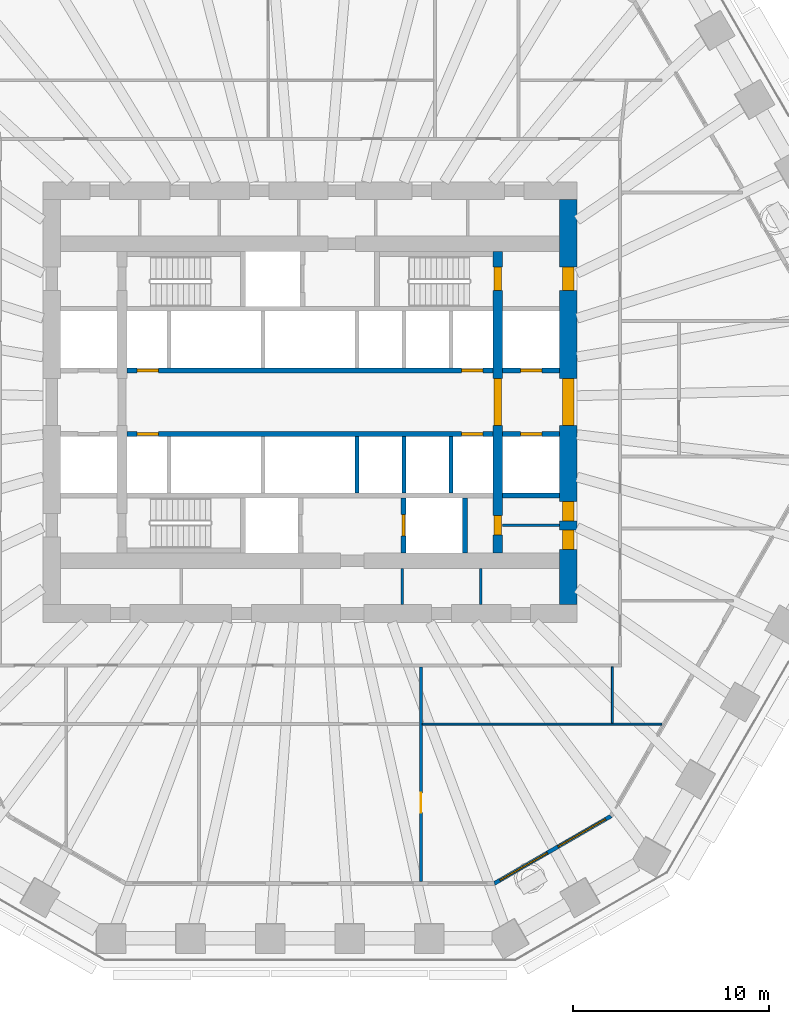
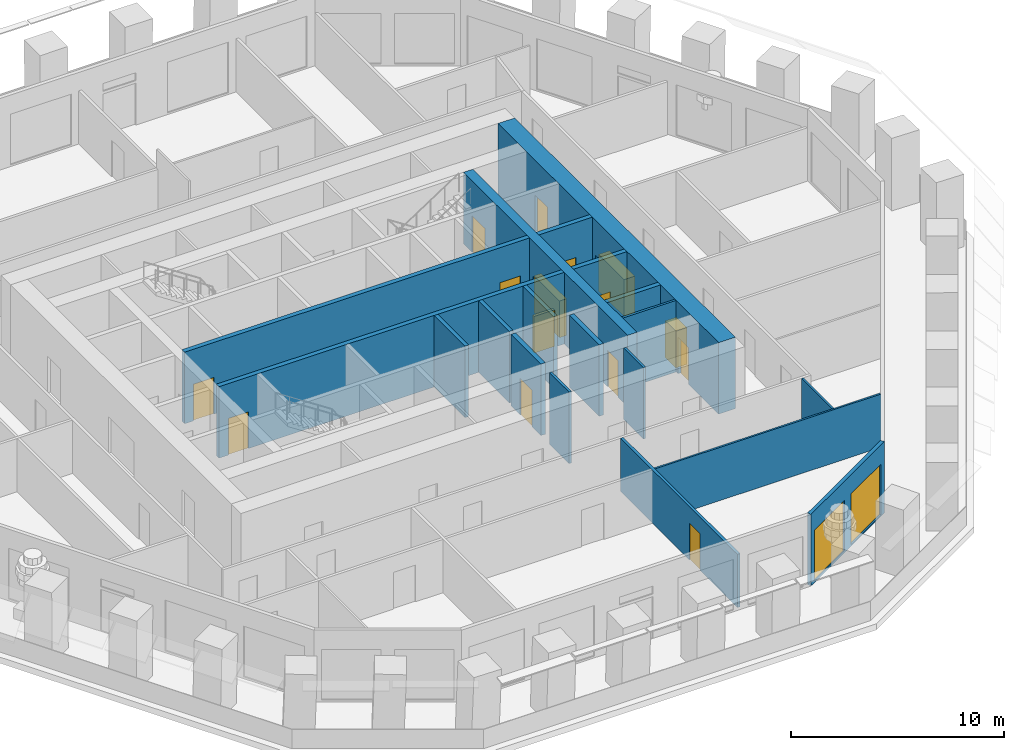
# One storey, part 5 of 13: 19 walls, 15 doors, 2 windows, 17 openings.
"""IFC4 building model written with IfcOpenShell, lengths in metres."""

from ifc_helpers import new_model, si_unit, direction, frame, frame_2d, origin, place, context, subcontext, project, spatial, polyline, rectangle, outline, extrude, material, layer, layer_set, type_object, element, fill, save


model = new_model("IFC4")

# Units and contexts
model_context = context("Model", 3, precision=1e-05, world=origin(), true_north=direction((0.0, 1.0)))
body_context = subcontext(model_context, "Body", "Model", "MODEL_VIEW")
ifc_project = project(units=[si_unit("LENGTHUNIT", "METRE"), si_unit("AREAUNIT", "SQUARE_METRE"), si_unit("VOLUMEUNIT", "CUBIC_METRE"), si_unit("PLANEANGLEUNIT", "RADIAN"), si_unit("MASSUNIT", "GRAM", prefix="KILO")], contexts=[model_context])

# Site, building, storey
site_placement = place(None, origin())
site = spatial("IfcSite", under=ifc_project, at=site_placement, CompositionType="ELEMENT")
building_placement = place(site_placement, origin())
building = spatial("IfcBuilding", under=site, at=building_placement, Name="Frailejon Research Tower", CompositionType="ELEMENT")
storey_placement = place(building_placement, frame((0.0, 0.0, 36.60009765625)))
storey = spatial("IfcBuildingStorey", under=building, at=storey_placement, Name="L08", CompositionType="ELEMENT", Elevation=36.60009765625)

# Walls
ifc_material_1 = material(Name="Plasterboard on steel studs", Category="steel")
ifc_layer_1 = layer(ifc_material_1, 0.125)
ifc_layer_set_1 = layer_set([ifc_layer_1], Name="Core partition 125")
wall_type_1 = type_object("IfcWallType", Name="Core partition 125", PredefinedType="PARTITIONING", material=ifc_layer_set_1)
wall_1_placement = place(storey_placement, frame((9.85009765625, -6.300048828125, 0.0), z_axis=(0.0, 0.0, 1.0), x_axis=(1.0, 0.0, 0.0)))
element("IfcWall", 1, at=wall_1_placement, inside=storey, type_object=wall_type_1, Name="Core partition", PredefinedType="PARTITIONING", context=body_context, shape_type="SweptSolid", body=[
    extrude(rectangle(XDim=2.89990234375, YDim=0.125, at=frame_2d((1.449951171875, 0.0))), origin(), (0.0, 0.0, 1.0), 4.099853515625),
])
for number, where, z_axis, x_axis, name in (
    (2, (4.71240234375, -10.35009765625, 0.0), (0.0, 0.0, 1.0), (0.0, 1.0, 0.0), "Core partition"),
    (3, (8.731201171875, -10.35009765625, 0.0), (0.0, 0.0, 1.0), (0.0, 1.0, 0.0), "Core partition"),
):
    element("IfcWall", number, at=place(storey_placement, frame(where, z_axis=z_axis, x_axis=x_axis)), inside=storey, type_object=wall_type_1, Name=name, PredefinedType="PARTITIONING", context=body_context, shape_type="SweptSolid", body=[
        extrude(rectangle(XDim=1.85009765625, YDim=0.125, at=frame_2d((0.925048828125, 0.0))), origin(), (0.0, 0.0, 1.0), 4.099853515625),
    ])

# Wall, openings, doors
ifc_material_2 = material(Name="Concrete C70/85", Category="concrete")
ifc_layer_2 = layer(ifc_material_2, 0.5)
ifc_layer_set_2 = layer_set([ifc_layer_2], Name="Core shear wall 500 C70/85")
wall_type_2 = type_object("IfcWallType", Name="Core shear wall 500 C70/85", PredefinedType="SHEAR", material=ifc_layer_set_2)
wall_2_placement = place(storey_placement, frame((9.60009765625, -7.699951171875, 0.0), z_axis=(0.0, 0.0, 1.0), x_axis=(0.0, 1.0, 0.0)))
wall_2 = element("IfcWall", 4, at=wall_2_placement, inside=storey, type_object=wall_type_2, Name="Core shear wall", PredefinedType="SHEAR", context=body_context, shape_type="SweptSolid", body=[
    extrude(rectangle(XDim=15.39990234375, YDim=0.5, at=frame_2d((7.699951171875, 0.0))), origin(), (0.0, 0.0, 1.0), 4.099853515625),
])
opening_1_placement = place(wall_2_placement, frame((6.5, 0.0, 0.0)))
opening_1 = element("IfcOpeningElement", 5, at=opening_1_placement, cuts=wall_2, Name="Opening D2", PredefinedType="OPENING", context=body_context, shape_type="SweptSolid", body=[
    extrude(rectangle(XDim=2.39990234375, YDim=2.10009765625, at=frame_2d((1.199951171875, 1.050048828125))), frame((0.0, 0.260009765625, 0.0), z_axis=(0.0, -1.0, 0.0), x_axis=(1.0, 0.0, 0.0)), (0.0, 0.0, 1.0), 0.52001953125),
])
opening_2_placement = place(wall_2_placement, frame((13.39990234375, 0.0, 0.0)))
opening_2 = element("IfcOpeningElement", 6, at=opening_2_placement, cuts=wall_2, Name="Opening D1", PredefinedType="OPENING", context=body_context, shape_type="SweptSolid", body=[
    extrude(rectangle(XDim=1.199951171875, YDim=2.10009765625, at=frame_2d((0.60009765625, 1.050048828125))), frame((0.0, 0.260009765625, 0.0), z_axis=(0.0, -1.0, 0.0), x_axis=(1.0, 0.0, 0.0)), (0.0, 0.0, 1.0), 0.52001953125),
])
opening_3_placement = place(wall_2_placement, frame((0.89990234375, 0.0, 0.0)))
opening_3 = element("IfcOpeningElement", 7, at=opening_3_placement, cuts=wall_2, Name="Opening D4", PredefinedType="OPENING", context=body_context, shape_type="SweptSolid", body=[
    extrude(rectangle(XDim=1.0, YDim=2.10009765625, at=frame_2d((0.5, 1.050048828125))), frame((0.0, 0.260009765625, 0.0), z_axis=(0.0, -1.0, 0.0), x_axis=(1.0, 0.0, 0.0)), (0.0, 0.0, 1.0), 0.52001953125),
])
ifc_material_3 = material(Name="Steel", Category="steel")
door_type_1 = type_object("IfcDoorType", Name="Lobby double door", OperationType="DOUBLE_DOOR_SINGLE_SWING", PredefinedType="DOOR", material=ifc_material_3)
door_1_placement = place(opening_1_placement, origin())
door_1 = element("IfcDoor", 8, at=door_1_placement, inside=storey, type_object=door_type_1, Name="Lobby door", OperationType="DOUBLE_DOOR_SINGLE_SWING", OverallHeight=2.10009765625, OverallWidth=2.39990234375, PredefinedType="DOOR", context=body_context, shape_type="SweptSolid", body=[
    extrude(rectangle(XDim=2.39990234375, YDim=2.10009765625, at=frame_2d((1.199951171875, 1.050048828125))), frame((0.0, 0.199951171875, 0.0), z_axis=(0.0, -1.0, 0.0), x_axis=(1.0, 0.0, 0.0)), (0.0, 0.0, 1.0), 0.39990234375),
])
fill(opening_1, door_1)
ifc_material_4 = material(Name="Steel", Category="steel")
door_type_2 = type_object("IfcDoorType", Name="Service door", OperationType="SINGLE_SWING_LEFT", PredefinedType="DOOR", material=ifc_material_4)
door_2_placement = place(opening_3_placement, origin())
door_2 = element("IfcDoor", 9, at=door_2_placement, inside=storey, type_object=door_type_2, Name="Riser door", OperationType="SINGLE_SWING_RIGHT", OverallHeight=2.10009765625, OverallWidth=1.0, PredefinedType="DOOR", context=body_context, shape_type="SweptSolid", body=[
    extrude(rectangle(XDim=1.0, YDim=2.10009765625, at=frame_2d((0.5, 1.050048828125))), frame((0.0, 0.199951171875, 0.0), z_axis=(0.0, -1.0, 0.0), x_axis=(1.0, 0.0, 0.0)), (0.0, 0.0, 1.0), 0.39990234375),
])
fill(opening_3, door_2)
ifc_material_5 = material(Name="Steel", Category="steel")
door_type_3 = type_object("IfcDoorType", Name="Stair door", OperationType="SINGLE_SWING_LEFT", PredefinedType="DOOR", material=ifc_material_5)
door_3_placement = place(opening_2_placement, origin())
door_3 = element("IfcDoor", 10, at=door_3_placement, inside=storey, type_object=door_type_3, Name="Stair door ST3", OperationType="SINGLE_SWING_RIGHT", OverallHeight=2.10009765625, OverallWidth=1.199951171875, PredefinedType="DOOR", context=body_context, shape_type="SweptSolid", body=[
    extrude(rectangle(XDim=1.199951171875, YDim=2.10009765625, at=frame_2d((0.60009765625, 1.050048828125))), frame((0.0, 0.199951171875, 0.0), z_axis=(0.0, -1.0, 0.0), x_axis=(1.0, 0.0, 0.0)), (0.0, 0.0, 1.0), 0.39990234375),
])
fill(opening_2, door_3)

ifc_material_6 = material(Name="Concrete C70/85", Category="concrete")
ifc_layer_3 = layer(ifc_material_6, 0.89990234375)
ifc_layer_set_3 = layer_set([ifc_layer_3], Name="Core shear wall 900 C70/85")
wall_type_3 = type_object("IfcWallType", Name="Core shear wall 900 C70/85", PredefinedType="SHEAR", material=ifc_layer_set_3)
wall_3_placement = place(storey_placement, frame((13.199951171875, -10.35009765625, 0.0), z_axis=(0.0, 0.0, 1.0), x_axis=(0.0, 1.0, 0.0)))
wall_3 = element("IfcWall", 11, at=wall_3_placement, inside=storey, type_object=wall_type_3, Name="Core shear wall", PredefinedType="SHEAR", context=body_context, shape_type="SweptSolid", body=[
    extrude(rectangle(XDim=20.7001953125, YDim=0.89990234375, at=frame_2d((10.35009765625, 0.0))), origin(), (0.0, 0.0, 1.0), 4.099853515625),
])
opening_4_placement = place(wall_3_placement, frame((9.14990234375, 0.0, 0.0)))
opening_4 = element("IfcOpeningElement", 12, at=opening_4_placement, cuts=wall_3, Name="Opening D2", PredefinedType="OPENING", context=body_context, shape_type="SweptSolid", body=[
    extrude(rectangle(XDim=2.39990234375, YDim=2.10009765625, at=frame_2d((1.199951171875, 1.050048828125))), frame((0.0, 0.4599609375, 0.0), z_axis=(0.0, -1.0, 0.0), x_axis=(1.0, 0.0, 0.0)), (0.0, 0.0, 1.0), 0.919921875),
])
opening_5_placement = place(wall_3_placement, frame((16.050048828125, 0.0, 0.0)))
opening_5 = element("IfcOpeningElement", 13, at=opening_5_placement, cuts=wall_3, Name="Opening D7", PredefinedType="OPENING", context=body_context, shape_type="SweptSolid", body=[
    extrude(rectangle(XDim=1.199951171875, YDim=2.10009765625, at=frame_2d((0.60009765625, 1.050048828125))), frame((0.0, 0.4599609375, 0.0), z_axis=(0.0, -1.0, 0.0), x_axis=(1.0, 0.0, 0.0)), (0.0, 0.0, 1.0), 0.919921875),
])
opening_6_placement = place(wall_3_placement, frame((2.81884765625, 0.0, 0.0)))
opening_6 = element("IfcOpeningElement", 14, at=opening_6_placement, cuts=wall_3, Name="Opening D4", PredefinedType="OPENING", context=body_context, shape_type="SweptSolid", body=[
    extrude(rectangle(XDim=1.0, YDim=2.10009765625, at=frame_2d((0.5, 1.050048828125))), frame((0.0, 0.4599609375, 0.0), z_axis=(0.0, -1.0, 0.0), x_axis=(1.0, 0.0, 0.0)), (0.0, 0.0, 1.0), 0.919921875),
])
opening_7_placement = place(wall_3_placement, frame((4.28125, 0.0, 0.0)))
opening_7 = element("IfcOpeningElement", 15, at=opening_7_placement, cuts=wall_3, Name="Opening D4", PredefinedType="OPENING", context=body_context, shape_type="SweptSolid", body=[
    extrude(rectangle(XDim=1.0, YDim=2.10009765625, at=frame_2d((0.5, 1.050048828125))), frame((0.0, 0.4599609375, 0.0), z_axis=(0.0, -1.0, 0.0), x_axis=(1.0, 0.0, 0.0)), (0.0, 0.0, 1.0), 0.919921875),
])
door_4_placement = place(opening_4_placement, origin())
door_4 = element("IfcDoor", 16, at=door_4_placement, inside=storey, type_object=door_type_1, Name="Lobby door", OperationType="DOUBLE_DOOR_SINGLE_SWING", OverallHeight=2.10009765625, OverallWidth=2.39990234375, PredefinedType="DOOR", context=body_context, shape_type="SweptSolid", body=[
    extrude(rectangle(XDim=2.39990234375, YDim=2.10009765625, at=frame_2d((1.199951171875, 1.050048828125))), frame((0.0, 0.300048828125, 0.0), z_axis=(0.0, -1.0, 0.0), x_axis=(1.0, 0.0, 0.0)), (0.0, 0.0, 1.0), 0.60009765625),
])
fill(opening_4, door_4)
door_5_placement = place(opening_6_placement, origin())
door_5 = element("IfcDoor", 17, at=door_5_placement, inside=storey, type_object=door_type_2, Name="Store door", OperationType="SINGLE_SWING_LEFT", OverallHeight=2.10009765625, OverallWidth=1.0, PredefinedType="DOOR", context=body_context, shape_type="SweptSolid", body=[
    extrude(rectangle(XDim=1.0, YDim=2.10009765625, at=frame_2d((0.5, 1.050048828125))), frame((0.0, 0.300048828125, 0.0), z_axis=(0.0, -1.0, 0.0), x_axis=(1.0, 0.0, 0.0)), (0.0, 0.0, 1.0), 0.60009765625),
])
fill(opening_6, door_5)
door_6_placement = place(opening_7_placement, origin())
door_6 = element("IfcDoor", 18, at=door_6_placement, inside=storey, type_object=door_type_2, Name="Store door", OperationType="SINGLE_SWING_RIGHT", OverallHeight=2.10009765625, OverallWidth=1.0, PredefinedType="DOOR", context=body_context, shape_type="SweptSolid", body=[
    extrude(rectangle(XDim=1.0, YDim=2.10009765625, at=frame_2d((0.5, 1.050048828125))), frame((0.0, 0.300048828125, 0.0), z_axis=(0.0, -1.0, 0.0), x_axis=(1.0, 0.0, 0.0)), (0.0, 0.0, 1.0), 0.60009765625),
])
fill(opening_7, door_6)
ifc_material_7 = material(Name="Steel", Category="steel")
door_type_4 = type_object("IfcDoorType", Name="Stair exit door", OperationType="SINGLE_SWING_LEFT", PredefinedType="DOOR", material=ifc_material_7)
door_7_placement = place(opening_5_placement, origin())
door_7 = element("IfcDoor", 19, at=door_7_placement, inside=storey, type_object=door_type_4, Name="Stair exit door ST3", OperationType="SINGLE_SWING_LEFT", OverallHeight=2.10009765625, OverallWidth=1.199951171875, PredefinedType="DOOR", context=body_context, shape_type="SweptSolid", body=[
    extrude(rectangle(XDim=1.199951171875, YDim=2.10009765625, at=frame_2d((0.60009765625, 1.050048828125))), frame((0.0, 0.300048828125, 0.0), z_axis=(0.0, -1.0, 0.0), x_axis=(1.0, 0.0, 0.0)), (0.0, 0.0, 1.0), 0.60009765625),
])
fill(opening_5, door_7)

# Wall, opening, door
ifc_material_8 = material(Name="Gypsum board and masonry partition", Category="masonry")
ifc_layer_4 = layer(ifc_material_8, 0.14990234375)
ifc_layer_set_4 = layer_set([ifc_layer_4], Name="Laboratory partition, blockwork 150")
wall_type_4 = type_object("IfcWallType", Name="Laboratory partition, blockwork 150", PredefinedType="PARTITIONING", material=ifc_layer_set_4)
wall_4_placement = place(storey_placement, frame((5.67431640625, -24.491455078125, 0.0), z_axis=(0.0, 0.0, 1.0), x_axis=(0.0, 1.0, 0.0)))
wall_4 = element("IfcWall", 20, at=wall_4_placement, inside=storey, type_object=wall_type_4, Name="T:IW:L08:022", PredefinedType="PARTITIONING", context=body_context, shape_type="SweptSolid", body=[
    extrude(rectangle(XDim=10.966552734375, YDim=0.14990234375, at=frame_2d((5.4833984375, 0.0))), origin(), (0.0, 0.0, 1.0), 3.0498046875),
])
opening_8_placement = place(wall_4_placement, frame((3.520751953125, 0.0, 0.0)))
opening_8 = element("IfcOpeningElement", 21, at=opening_8_placement, cuts=wall_4, Name="Opening D1367", PredefinedType="OPENING", context=body_context, shape_type="SweptSolid", body=[
    extrude(rectangle(XDim=1.0, YDim=2.10009765625, at=frame_2d((0.5, 1.050048828125))), frame((0.0, 0.0849609375, 0.0), z_axis=(0.0, -1.0, 0.0), x_axis=(1.0, 0.0, 0.0)), (0.0, 0.0, 1.0), 0.169921875),
])
ifc_material_9 = material(Name="Timber door leaf", Category="wood")
door_type_5 = type_object("IfcDoorType", Name="Door single leaf, timber, steel frame 1000", OperationType="NOTDEFINED", PredefinedType="DOOR", material=ifc_material_9)
door_8_placement = place(opening_8_placement, origin())
door_8 = element("IfcDoor", 22, at=door_8_placement, inside=storey, type_object=door_type_5, Name="D1367", OperationType="SINGLE_SWING_RIGHT", OverallHeight=2.10009765625, OverallWidth=1.0, PredefinedType="DOOR", context=body_context, shape_type="SweptSolid", body=[
    extrude(rectangle(XDim=1.0, YDim=2.10009765625, at=frame_2d((0.5, 1.050048828125))), frame((0.0, 0.02490234375, 0.0), z_axis=(0.0, -1.0, 0.0), x_axis=(1.0, 0.0, 0.0)), (0.0, 0.0, 1.0), 0.050048828125),
])
fill(opening_8, door_8)

# Walls
ifc_material_10 = material(Name="Gypsum board and masonry partition", Category="masonry")
ifc_layer_5 = layer(ifc_material_10, 0.10009765625)
ifc_layer_set_5 = layer_set([ifc_layer_5], Name="Partition, gypsum on steel studs 100")
wall_type_5 = type_object("IfcWallType", Name="Partition, gypsum on steel studs 100", PredefinedType="PARTITIONING", material=ifc_layer_set_5)
wall_5_placement = place(storey_placement, frame((5.749267578125, -16.449951171875, 0.0), z_axis=(0.0, 0.0, 1.0), x_axis=(1.0, 0.0, 0.0)))
element("IfcWall", 23, at=wall_5_placement, inside=storey, type_object=wall_type_5, Name="T:IW:L08:030", PredefinedType="PARTITIONING", context=body_context, shape_type="SweptSolid", body=[
    extrude(rectangle(XDim=12.2353515625, YDim=0.10009765625, at=frame_2d((6.11767578125, 0.0))), origin(), (0.0, 0.0, 1.0), 3.0498046875),
])
wall_6_placement = place(storey_placement, frame((15.457275390625, -16.39990234375, 0.0), z_axis=(0.0, 0.0, 1.0), x_axis=(0.0, 1.0, 0.0)))
element("IfcWall", 24, at=wall_6_placement, inside=storey, type_object=wall_type_5, Name="T:IW:L08:031", PredefinedType="PARTITIONING", context=body_context, shape_type="SweptSolid", body=[
    extrude(rectangle(XDim=2.875, YDim=0.10009765625, at=frame_2d((1.4375, 0.0))), origin(), (0.0, 0.0, 1.0), 3.0498046875),
])
ifc_material_11 = material(Name="Concrete C70/85", Category="concrete")
ifc_layer_6 = layer(ifc_material_11, 0.199951171875)
ifc_layer_set_6 = layer_set([ifc_layer_6], Name="Shaft wall 200 C70/85")
wall_type_6 = type_object("IfcWallType", Name="Shaft wall 200 C70/85", PredefinedType="SOLIDWALL", material=ifc_layer_set_6)
for number, where, z_axis, x_axis, name in (
    (25, (2.39990234375, -4.64990234375, 0.0), (0.0, 0.0, 1.0), (0.0, 1.0, 0.0), "Shaft wall"),
    (26, (4.800048828125, -4.64990234375, 0.0), (0.0, 0.0, 1.0), (0.0, 1.0, 0.0), "Shaft wall"),
    (27, (7.199951171875, -4.64990234375, 0.0), (0.0, 0.0, 1.0), (0.0, 1.0, 0.0), "Shaft wall"),
):
    element("IfcWall", number, at=place(storey_placement, frame(where, z_axis=z_axis, x_axis=x_axis)), inside=storey, type_object=wall_type_6, Name=name, PredefinedType="SOLIDWALL", context=body_context, shape_type="SweptSolid", body=[
        extrude(rectangle(XDim=2.89990234375, YDim=0.199951171875, at=frame_2d((1.449951171875, 0.0))), origin(), (0.0, 0.0, 1.0), 4.099853515625),
    ])

# Wall, openings, doors
ifc_material_12 = material(Name="Concrete C70/85", Category="concrete")
ifc_layer_7 = layer(ifc_material_12, 0.25)
ifc_layer_set_7 = layer_set([ifc_layer_7], Name="Shaft wall 250 C70/85")
wall_type_7 = type_object("IfcWallType", Name="Shaft wall 250 C70/85", PredefinedType="SOLIDWALL", material=ifc_layer_set_7)
wall_7_placement = place(storey_placement, frame((-9.35009765625, 1.625, 0.0), z_axis=(0.0, 0.0, 1.0), x_axis=(1.0, 0.0, 0.0)))
wall_7 = element("IfcWall", 28, at=wall_7_placement, inside=storey, type_object=wall_type_7, Name="Shaft wall", PredefinedType="SOLIDWALL", context=body_context, shape_type="SweptSolid", body=[
    extrude(rectangle(XDim=18.7001953125, YDim=0.25, at=frame_2d((9.35009765625, 0.0))), origin(), (0.0, 0.0, 1.0), 4.099853515625),
])
opening_9_placement = place(wall_7_placement, frame((0.5, 0.0, 0.0)))
opening_9 = element("IfcOpeningElement", 29, at=opening_9_placement, cuts=wall_7, Name="Opening LD", PredefinedType="OPENING", context=body_context, shape_type="SweptSolid", body=[
    extrude(rectangle(XDim=1.10009765625, YDim=2.10009765625, at=frame_2d((0.550048828125, 1.050048828125))), frame((0.0, 0.135009765625, 0.0), z_axis=(0.0, -1.0, 0.0), x_axis=(1.0, 0.0, 0.0)), (0.0, 0.0, 1.0), 0.27001953125),
])
opening_10_placement = place(wall_7_placement, frame((17.10009765625, 0.0, 0.0)))
opening_10 = element("IfcOpeningElement", 30, at=opening_10_placement, cuts=wall_7, Name="Opening LD", PredefinedType="OPENING", context=body_context, shape_type="SweptSolid", body=[
    extrude(rectangle(XDim=1.10009765625, YDim=2.10009765625, at=frame_2d((0.550048828125, 1.050048828125))), frame((0.0, 0.135009765625, 0.0), z_axis=(0.0, -1.0, 0.0), x_axis=(1.0, 0.0, 0.0)), (0.0, 0.0, 1.0), 0.27001953125),
])
ifc_material_13 = material(Name="Steel", Category="steel")
door_type_6 = type_object("IfcDoorType", Name="Lift landing door", OperationType="DOUBLE_DOOR_SLIDING", PredefinedType="DOOR", material=ifc_material_13)
door_9_placement = place(opening_9_placement, origin())
door_9 = element("IfcDoor", 31, at=door_9_placement, inside=storey, type_object=door_type_6, Name="Lift landing door", OperationType="DOUBLE_DOOR_SLIDING", OverallHeight=2.10009765625, OverallWidth=1.10009765625, PredefinedType="DOOR", context=body_context, shape_type="SweptSolid", body=[
    extrude(rectangle(XDim=1.10009765625, YDim=2.10009765625, at=frame_2d((0.550048828125, 1.050048828125))), frame((0.0, 0.074951171875, 0.0), z_axis=(0.0, -1.0, 0.0), x_axis=(1.0, 0.0, 0.0)), (0.0, 0.0, 1.0), 0.14990234375),
])
fill(opening_9, door_9)
door_10_placement = place(opening_10_placement, origin())
door_10 = element("IfcDoor", 32, at=door_10_placement, inside=storey, type_object=door_type_6, Name="Lift landing door", OperationType="DOUBLE_DOOR_SLIDING", OverallHeight=2.10009765625, OverallWidth=1.10009765625, PredefinedType="DOOR", context=body_context, shape_type="SweptSolid", body=[
    extrude(rectangle(XDim=1.10009765625, YDim=2.10009765625, at=frame_2d((0.550048828125, 1.050048828125))), frame((0.0, 0.074951171875, 0.0), z_axis=(0.0, -1.0, 0.0), x_axis=(1.0, 0.0, 0.0)), (0.0, 0.0, 1.0), 0.14990234375),
])
fill(opening_10, door_10)

# Wall, opening, door
wall_8_placement = place(storey_placement, frame((9.85009765625, 1.625, 0.0), z_axis=(0.0, 0.0, 1.0), x_axis=(1.0, 0.0, 0.0)))
wall_8 = element("IfcWall", 33, at=wall_8_placement, inside=storey, type_object=wall_type_7, Name="Shaft wall", PredefinedType="SOLIDWALL", context=body_context, shape_type="SweptSolid", body=[
    extrude(rectangle(XDim=2.89990234375, YDim=0.25, at=frame_2d((1.449951171875, 0.0))), origin(), (0.0, 0.0, 1.0), 4.099853515625),
])
opening_11_placement = place(wall_8_placement, frame((0.89990234375, 0.0, 0.0)))
opening_11 = element("IfcOpeningElement", 34, at=opening_11_placement, cuts=wall_8, Name="Opening LD", PredefinedType="OPENING", context=body_context, shape_type="SweptSolid", body=[
    extrude(rectangle(XDim=1.10009765625, YDim=2.10009765625, at=frame_2d((0.550048828125, 1.050048828125))), frame((0.0, 0.135009765625, 0.0), z_axis=(0.0, -1.0, 0.0), x_axis=(1.0, 0.0, 0.0)), (0.0, 0.0, 1.0), 0.27001953125),
])
door_11_placement = place(opening_11_placement, origin())
door_11 = element("IfcDoor", 35, at=door_11_placement, inside=storey, type_object=door_type_6, Name="Lift landing door", OperationType="DOUBLE_DOOR_SLIDING", OverallHeight=2.10009765625, OverallWidth=1.10009765625, PredefinedType="DOOR", context=body_context, shape_type="SweptSolid", body=[
    extrude(rectangle(XDim=1.10009765625, YDim=2.10009765625, at=frame_2d((0.550048828125, 1.050048828125))), frame((0.0, 0.074951171875, 0.0), z_axis=(0.0, -1.0, 0.0), x_axis=(1.0, 0.0, 0.0)), (0.0, 0.0, 1.0), 0.14990234375),
])
fill(opening_11, door_11)

# Wall, openings, doors
wall_9_placement = place(storey_placement, frame((-9.35009765625, -1.625, 0.0), z_axis=(0.0, 0.0, 1.0), x_axis=(1.0, 0.0, 0.0)))
wall_9 = element("IfcWall", 36, at=wall_9_placement, inside=storey, type_object=wall_type_7, Name="Shaft wall", PredefinedType="SOLIDWALL", context=body_context, shape_type="SweptSolid", body=[
    extrude(rectangle(XDim=18.7001953125, YDim=0.25, at=frame_2d((9.35009765625, 0.0))), origin(), (0.0, 0.0, 1.0), 4.099853515625),
])
opening_12_placement = place(wall_9_placement, frame((0.5, 0.0, 0.0)))
opening_12 = element("IfcOpeningElement", 37, at=opening_12_placement, cuts=wall_9, Name="Opening LD", PredefinedType="OPENING", context=body_context, shape_type="SweptSolid", body=[
    extrude(rectangle(XDim=1.10009765625, YDim=2.10009765625, at=frame_2d((0.550048828125, 1.050048828125))), frame((0.0, 0.135009765625, 0.0), z_axis=(0.0, -1.0, 0.0), x_axis=(1.0, 0.0, 0.0)), (0.0, 0.0, 1.0), 0.27001953125),
])
opening_13_placement = place(wall_9_placement, frame((17.10009765625, 0.0, 0.0)))
opening_13 = element("IfcOpeningElement", 38, at=opening_13_placement, cuts=wall_9, Name="Opening LD", PredefinedType="OPENING", context=body_context, shape_type="SweptSolid", body=[
    extrude(rectangle(XDim=1.10009765625, YDim=2.10009765625, at=frame_2d((0.550048828125, 1.050048828125))), frame((0.0, 0.135009765625, 0.0), z_axis=(0.0, -1.0, 0.0), x_axis=(1.0, 0.0, 0.0)), (0.0, 0.0, 1.0), 0.27001953125),
])
door_12_placement = place(opening_12_placement, origin())
door_12 = element("IfcDoor", 39, at=door_12_placement, inside=storey, type_object=door_type_6, Name="Lift landing door", OperationType="DOUBLE_DOOR_SLIDING", OverallHeight=2.10009765625, OverallWidth=1.10009765625, PredefinedType="DOOR", context=body_context, shape_type="SweptSolid", body=[
    extrude(rectangle(XDim=1.10009765625, YDim=2.10009765625, at=frame_2d((0.550048828125, 1.050048828125))), frame((0.0, 0.074951171875, 0.0), z_axis=(0.0, -1.0, 0.0), x_axis=(1.0, 0.0, 0.0)), (0.0, 0.0, 1.0), 0.14990234375),
])
fill(opening_12, door_12)
door_13_placement = place(opening_13_placement, origin())
door_13 = element("IfcDoor", 40, at=door_13_placement, inside=storey, type_object=door_type_6, Name="Lift landing door", OperationType="DOUBLE_DOOR_SLIDING", OverallHeight=2.10009765625, OverallWidth=1.10009765625, PredefinedType="DOOR", context=body_context, shape_type="SweptSolid", body=[
    extrude(rectangle(XDim=1.10009765625, YDim=2.10009765625, at=frame_2d((0.550048828125, 1.050048828125))), frame((0.0, 0.074951171875, 0.0), z_axis=(0.0, -1.0, 0.0), x_axis=(1.0, 0.0, 0.0)), (0.0, 0.0, 1.0), 0.14990234375),
])
fill(opening_13, door_13)

# Wall, opening, door
wall_10_placement = place(storey_placement, frame((9.85009765625, -1.625, 0.0), z_axis=(0.0, 0.0, 1.0), x_axis=(1.0, 0.0, 0.0)))
wall_10 = element("IfcWall", 41, at=wall_10_placement, inside=storey, type_object=wall_type_7, Name="Shaft wall", PredefinedType="SOLIDWALL", context=body_context, shape_type="SweptSolid", body=[
    extrude(rectangle(XDim=2.89990234375, YDim=0.25, at=frame_2d((1.449951171875, 0.0))), origin(), (0.0, 0.0, 1.0), 4.099853515625),
])
opening_14_placement = place(wall_10_placement, frame((0.89990234375, 0.0, 0.0)))
opening_14 = element("IfcOpeningElement", 42, at=opening_14_placement, cuts=wall_10, Name="Opening LD", PredefinedType="OPENING", context=body_context, shape_type="SweptSolid", body=[
    extrude(rectangle(XDim=1.10009765625, YDim=2.10009765625, at=frame_2d((0.550048828125, 1.050048828125))), frame((0.0, 0.135009765625, 0.0), z_axis=(0.0, -1.0, 0.0), x_axis=(1.0, 0.0, 0.0)), (0.0, 0.0, 1.0), 0.27001953125),
])
door_14_placement = place(opening_14_placement, origin())
door_14 = element("IfcDoor", 43, at=door_14_placement, inside=storey, type_object=door_type_6, Name="Lift landing door", OperationType="DOUBLE_DOOR_SLIDING", OverallHeight=2.10009765625, OverallWidth=1.10009765625, PredefinedType="DOOR", context=body_context, shape_type="SweptSolid", body=[
    extrude(rectangle(XDim=1.10009765625, YDim=2.10009765625, at=frame_2d((0.550048828125, 1.050048828125))), frame((0.0, 0.074951171875, 0.0), z_axis=(0.0, -1.0, 0.0), x_axis=(1.0, 0.0, 0.0)), (0.0, 0.0, 1.0), 0.14990234375),
])
fill(opening_14, door_14)

# Wall
wall_11_placement = place(storey_placement, frame((9.85009765625, -4.77490234375, 0.0), z_axis=(0.0, 0.0, 1.0), x_axis=(1.0, 0.0, 0.0)))
element("IfcWall", 44, at=wall_11_placement, inside=storey, type_object=wall_type_7, Name="Shaft wall", PredefinedType="SOLIDWALL", context=body_context, shape_type="SweptSolid", body=[
    extrude(rectangle(XDim=2.89990234375, YDim=0.25, at=frame_2d((1.449951171875, 0.0))), origin(), (0.0, 0.0, 1.0), 4.099853515625),
])

# Wall, opening, door
wall_12_placement = place(storey_placement, frame((4.77490234375, -7.699951171875, 0.0), z_axis=(0.0, 0.0, 1.0), x_axis=(0.0, 1.0, 0.0)))
wall_12 = element("IfcWall", 45, at=wall_12_placement, inside=storey, type_object=wall_type_7, Name="Shaft wall", PredefinedType="SOLIDWALL", context=body_context, shape_type="SweptSolid", body=[
    extrude(rectangle(XDim=2.800048828125, YDim=0.25, at=frame_2d((1.39990234375, 0.0))), origin(), (0.0, 0.0, 1.0), 4.099853515625),
])
opening_15_placement = place(wall_12_placement, frame((0.85009765625, 0.0, 0.0)))
opening_15 = element("IfcOpeningElement", 46, at=opening_15_placement, cuts=wall_12, Name="Opening LD", PredefinedType="OPENING", context=body_context, shape_type="SweptSolid", body=[
    extrude(rectangle(XDim=1.10009765625, YDim=2.10009765625, at=frame_2d((0.550048828125, 1.050048828125))), frame((0.0, 0.135009765625, 0.0), z_axis=(0.0, -1.0, 0.0), x_axis=(1.0, 0.0, 0.0)), (0.0, 0.0, 1.0), 0.27001953125),
])
door_15_placement = place(opening_15_placement, origin())
door_15 = element("IfcDoor", 47, at=door_15_placement, inside=storey, type_object=door_type_6, Name="Lift landing door", OperationType="DOUBLE_DOOR_SLIDING", OverallHeight=2.10009765625, OverallWidth=1.10009765625, PredefinedType="DOOR", context=body_context, shape_type="SweptSolid", body=[
    extrude(rectangle(XDim=1.10009765625, YDim=2.10009765625, at=frame_2d((0.550048828125, 1.050048828125))), frame((0.0, 0.074951171875, 0.0), z_axis=(0.0, -1.0, 0.0), x_axis=(1.0, 0.0, 0.0)), (0.0, 0.0, 1.0), 0.14990234375),
])
fill(opening_15, door_15)

# Wall
wall_13_placement = place(storey_placement, frame((7.925048828125, -7.699951171875, 0.0), z_axis=(0.0, 0.0, 1.0), x_axis=(0.0, 1.0, 0.0)))
element("IfcWall", 48, at=wall_13_placement, inside=storey, type_object=wall_type_7, Name="Shaft wall", PredefinedType="SOLIDWALL", context=body_context, shape_type="SweptSolid", body=[
    extrude(rectangle(XDim=2.800048828125, YDim=0.25, at=frame_2d((1.39990234375, 0.0))), origin(), (0.0, 0.0, 1.0), 4.099853515625),
])

# Wall, openings, windows
ifc_material_14 = material(Name="Concrete C40/50 precast window wall panel", Category="concrete")
ifc_layer_8 = layer(ifc_material_14, 0.199951171875)
ifc_layer_set_8 = layer_set([ifc_layer_8], Name="Window wall 200")
wall_type_8 = type_object("IfcWallType", Name="Window wall 200", PredefinedType="SOLIDWALL", material=ifc_layer_set_8)
wall_14_placement = place(storey_placement, frame((9.430419921875, -24.59130859375, 0.0), z_axis=(0.0, 0.0, 1.0), x_axis=(0.866029458321, 0.49999297727, 0.0)))
wall_14 = element("IfcWall", 49, at=wall_14_placement, inside=storey, type_object=wall_type_8, Name="Exterior wall L08", PredefinedType="SOLIDWALL", context=body_context, shape_type="SweptSolid", body=[
    extrude(outline(polyline([(-0.02685546875, -0.10009765625), (1.1279296875, -0.10009765625), (2.282470703125, -0.10009765625), (3.437255859375, -0.10009765625), (4.592041015625, -0.10009765625), (5.74658203125, -0.10009765625), (6.9013671875, -0.10009765625), (6.84765625, 0.10009765625), (5.7109375, 0.10009765625), (4.573974609375, 0.10009765625), (3.437255859375, 0.10009765625), (2.300537109375, 0.10009765625), (1.16357421875, 0.10009765625), (0.02685546875, 0.10009765625), (-0.02685546875, -0.10009765625)])), origin(), (0.0, 0.0, 1.0), 4.099853515625),
])
opening_16_placement = place(wall_14_placement, frame((0.318603515625, 0.0, 0.10009765625)))
opening_16 = element("IfcOpeningElement", 50, at=opening_16_placement, cuts=wall_14, Name="Opening W3", PredefinedType="OPENING", context=body_context, shape_type="SweptSolid", body=[
    extrude(rectangle(XDim=2.800048828125, YDim=2.89990234375, at=frame_2d((1.39990234375, 1.449951171875))), frame((0.0, 0.10986328125, 0.0), z_axis=(0.0, -1.0, 0.0), x_axis=(1.0, 0.0, 0.0)), (0.0, 0.0, 1.0), 0.219970703125),
])
opening_17_placement = place(wall_14_placement, frame((3.756103515625, 0.0, 0.10009765625)))
opening_17 = element("IfcOpeningElement", 51, at=opening_17_placement, cuts=wall_14, Name="Opening W3", PredefinedType="OPENING", context=body_context, shape_type="SweptSolid", body=[
    extrude(rectangle(XDim=2.800048828125, YDim=2.89990234375, at=frame_2d((1.39990234375, 1.449951171875))), frame((0.0, 0.10986328125, 0.0), z_axis=(0.0, -1.0, 0.0), x_axis=(1.0, 0.0, 0.0)), (0.0, 0.0, 1.0), 0.219970703125),
])
ifc_material_15 = material(Name="Aluminium framed double glazing", Category="aluminium")
window_type = type_object("IfcWindowType", Name="Window 2800x2900", PartitioningType="SINGLE_PANEL", PredefinedType="WINDOW", material=ifc_material_15)
window_1_placement = place(opening_16_placement, origin())
window_1 = element("IfcWindow", 52, at=window_1_placement, inside=storey, type_object=window_type, Name="Window L08", OverallHeight=2.89990234375, OverallWidth=2.800048828125, PartitioningType="SINGLE_PANEL", PredefinedType="WINDOW", context=body_context, shape_type="SweptSolid", body=[
    extrude(rectangle(XDim=2.800048828125, YDim=2.89990234375, at=frame_2d((1.39990234375, 1.449951171875))), frame((0.0, 0.030029296875, 0.0), z_axis=(0.0, -1.0, 0.0), x_axis=(1.0, 0.0, 0.0)), (0.0, 0.0, 1.0), 0.06005859375),
])
fill(opening_16, window_1)
window_2_placement = place(opening_17_placement, origin())
window_2 = element("IfcWindow", 53, at=window_2_placement, inside=storey, type_object=window_type, Name="Window L08", OverallHeight=2.89990234375, OverallWidth=2.800048828125, PartitioningType="SINGLE_PANEL", PredefinedType="WINDOW", context=body_context, shape_type="SweptSolid", body=[
    extrude(rectangle(XDim=2.800048828125, YDim=2.89990234375, at=frame_2d((1.39990234375, 1.449951171875))), frame((0.0, 0.030029296875, 0.0), z_axis=(0.0, -1.0, 0.0), x_axis=(1.0, 0.0, 0.0)), (0.0, 0.0, 1.0), 0.06005859375),
])
fill(opening_17, window_2)

save(model, "model.ifc")
